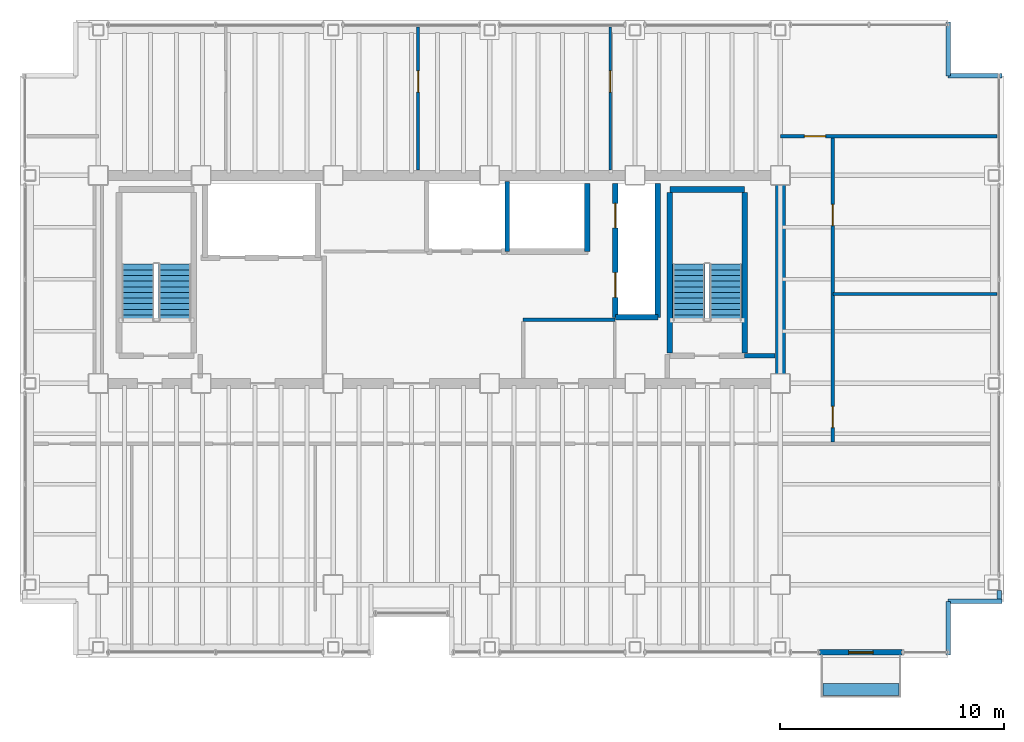
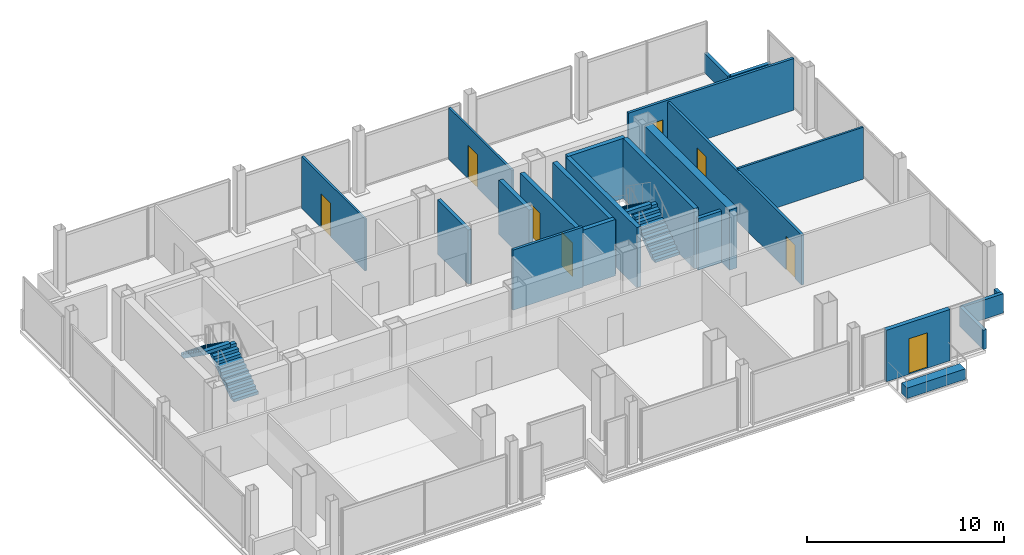
# One storey, part 14 of 16: 22 walls, 8 doors, 4 stair flights, 1 discrete accessory, 8 openings, 2 elements without a shape of their own.
"""IFC4 building model written with IfcOpenShell, lengths in metres."""

from ifc_helpers import new_model, si_unit, direction, frame, frame_2d, origin, origin_2d, place, context, subcontext, project, spatial, polyline, rectangle, outline, extrude, material, layer, layer_set, type_object, element, fill, aggregate, save


model = new_model("IFC4")

# Units and contexts
model_context = context("Model", 3, precision=1e-05, world=origin(), true_north=direction((0.0, 1.0)))
body_context = subcontext(model_context, "Body", "Model", "MODEL_VIEW")
ifc_project = project(units=[si_unit("LENGTHUNIT", "METRE"), si_unit("AREAUNIT", "SQUARE_METRE"), si_unit("VOLUMEUNIT", "CUBIC_METRE"), si_unit("PLANEANGLEUNIT", "RADIAN"), si_unit("MASSUNIT", "GRAM", prefix="KILO")], contexts=[model_context])

# Site, building, storey
site_placement = place(None, origin())
site = spatial("IfcSite", under=ifc_project, at=site_placement, CompositionType="ELEMENT")
building_placement = place(site_placement, origin())
building = spatial("IfcBuilding", under=site, at=building_placement, Name="Noeulbin Bourse Tower", CompositionType="ELEMENT")
storey_placement = place(building_placement, frame((0.0, 0.0, 185.10009765625)))
storey = spatial("IfcBuildingStorey", under=building, at=storey_placement, Name="L46", CompositionType="ELEMENT", Elevation=185.10009765625)

# Wall
ifc_material_1 = material(Name="Concrete C50/60", Category="concrete")
ifc_layer_1 = layer(ifc_material_1, 0.449951171875)
ifc_layer_set_1 = layer_set([ifc_layer_1], Name="Concrete C50/60")
wall_type_1 = type_object("IfcWallType", Name="WAL-CORE-450", PredefinedType="SHEAR", material=ifc_layer_set_1)
wall_1_placement = place(storey_placement, frame((44.0, 29.35009765625, 0.0), z_axis=(0.0, 0.0, 1.0), x_axis=(0.0, 1.0, 0.0)))
element("IfcWall", 1, at=wall_1_placement, inside=storey, type_object=wall_type_1, Name="Rear Core East Shear Wall L46", PredefinedType="SHEAR", context=body_context, shape_type="SweptSolid", body=[
    extrude(rectangle(XDim=8.599853515625, YDim=0.449951171875, at=frame_2d((4.2998046875, 0.0))), origin(), (0.0, 0.0, 1.0), 3.719970703125),
])

# Wall, opening, door
ifc_material_2 = material(Name="Precast Concrete C40/50", Category="concrete")
ifc_layer_2 = layer(ifc_material_2, 0.25)
ifc_layer_set_2 = layer_set([ifc_layer_2], Name="Precast Concrete C40/50")
wall_type_2 = type_object("IfcWallType", Name="WAL-EXT-250", PredefinedType="STANDARD", material=ifc_layer_set_2)
wall_2_placement = place(storey_placement, frame((45.75, 16.969970703125, 0.0), z_axis=(0.0, 0.0, 1.0), x_axis=(1.0, 0.0, 0.0)))
wall_2 = element("IfcWall", 2, at=wall_2_placement, inside=storey, type_object=wall_type_2, Name="Balcony Threshold Wall L46", PredefinedType="STANDARD", context=body_context, shape_type="SweptSolid", body=[
    extrude(rectangle(XDim=3.699951171875, YDim=0.25, at=frame_2d((1.85009765625, 0.0))), origin(), (0.0, 0.0, 1.0), 3.179931640625),
])
opening_1_placement = place(wall_2_placement, frame((1.300048828125, 0.0, 0.0)))
opening_1 = element("IfcOpeningElement", 3, at=opening_1_placement, cuts=wall_2, Name="Opening BD-11", PredefinedType="OPENING", context=body_context, shape_type="SweptSolid", body=[
    extrude(rectangle(XDim=1.10009765625, YDim=2.199951171875, at=frame_2d((0.550048828125, 1.10009765625))), frame((0.0, 0.135009765625, 0.0), z_axis=(0.0, -1.0, 0.0), x_axis=(1.0, 0.0, 0.0)), (0.0, 0.0, 1.0), 0.27001953125),
])
ifc_material_3 = material(Name="Thermally Broken Aluminium Framed Glass", Category="aluminium")
door_type_1 = type_object("IfcDoorType", Name="DR-BAL-1100", OperationType="SINGLE_SWING_LEFT", PredefinedType="DOOR", material=ifc_material_3)
door_1_placement = place(opening_1_placement, origin())
door_1 = element("IfcDoor", 4, at=door_1_placement, inside=storey, type_object=door_type_1, Name="Tree-Balcony Access Door BD-L46", OperationType="SINGLE_SWING_RIGHT", OverallHeight=2.199951171875, OverallWidth=1.10009765625, PredefinedType="DOOR", context=body_context, shape_type="SweptSolid", body=[
    extrude(rectangle(XDim=1.10009765625, YDim=2.199951171875, at=frame_2d((0.550048828125, 1.10009765625))), frame((0.0, 0.02490234375, 0.0), z_axis=(0.0, -1.0, 0.0), x_axis=(1.0, 0.0, 0.0)), (0.0, 0.0, 1.0), 0.050048828125),
])
fill(opening_1, door_1)

# Walls
ifc_material_4 = material(Name="Concrete C40/50", Category="concrete")
ifc_layer_3 = layer(ifc_material_4, 0.199951171875)
ifc_layer_set_3 = layer_set([ifc_layer_3], Name="Concrete C40/50")
wall_type_3 = type_object("IfcWallType", Name="WAL-FIRE-200", PredefinedType="STANDARD", material=ifc_layer_set_3)
wall_3_placement = place(storey_placement, frame((42.39990234375, 30.239990234375, 0.0), z_axis=(0.0, 0.0, 1.0), x_axis=(1.0, 0.0, 0.0)))
element("IfcWall", 5, at=wall_3_placement, inside=storey, type_object=wall_type_3, Name="Interior Partition Wall L46-01", PredefinedType="STANDARD", context=body_context, shape_type="SweptSolid", body=[
    extrude(rectangle(XDim=1.364990234375, YDim=0.199951171875, at=frame_2d((0.6826171875, 0.0))), origin(), (0.0, 0.0, 1.0), 3.199951171875),
])
ifc_layer_4 = layer(ifc_material_4, 0.199951171875)
ifc_layer_set_4 = layer_set([ifc_layer_4], Name="Concrete C40/50")
wall_type_4 = type_object("IfcWallType", Name="WAL-PAR-200", PredefinedType="PARAPET", material=ifc_layer_set_4)
wall_4_placement = place(storey_placement, frame((53.780029296875, 19.35009765625, 0.0), z_axis=(0.0, 0.0, 1.0), x_axis=(0.0, 1.0, 0.0)))
element("IfcWall", 6, at=wall_4_placement, inside=storey, type_object=wall_type_4, Name="Perimeter Pier Spandrel Parapet L46-E3", PredefinedType="PARAPET", context=body_context, shape_type="SweptSolid", body=[
    extrude(rectangle(XDim=0.3798828125, YDim=0.199951171875, at=frame_2d((0.18994140625, 0.0))), origin(), (0.0, 0.0, 1.0), 1.199951171875),
])
for number, where, z_axis, x_axis, name in (
    (7, (51.5, 16.85009765625, 0.0), (0.0, 0.0, 1.0), (0.0, 1.0, 0.0), "Corner Notch Parapet L46-SE1"),
    (8, (51.5, 19.25, 0.0), (0.0, 0.0, 1.0), (1.0, 0.0, 0.0), "Corner Notch Parapet L46-SE2"),
    (9, (51.5, 45.14990234375, 0.0), (0.0, 0.0, 1.0), (0.0, -1.0, 0.0), "Corner Notch Parapet L46-NE1"),
    (10, (51.5, 42.75, 0.0), (0.0, 0.0, 1.0), (1.0, 0.0, 0.0), "Corner Notch Parapet L46-NE2"),
):
    element("IfcWall", number, at=place(storey_placement, frame(where, z_axis=z_axis, x_axis=x_axis)), inside=storey, type_object=wall_type_4, Name=name, PredefinedType="PARAPET", context=body_context, shape_type="SweptSolid", body=[
        extrude(rectangle(XDim=2.39990234375, YDim=0.199951171875, at=frame_2d((1.199951171875, 0.0))), origin(), (0.0, 0.0, 1.0), 1.199951171875),
    ])
ifc_material_5 = material(Name="Steel Stud Gypsum Partition", Category="steel")
ifc_layer_5 = layer(ifc_material_5, 0.1201171875)
ifc_layer_set_5 = layer_set([ifc_layer_5], Name="Steel Stud Gypsum Partition")
wall_type_5 = type_object("IfcWallType", Name="WAL-PRT-120", PredefinedType="PARTITIONING", material=ifc_layer_set_5)
wall_5_placement = place(storey_placement, frame((46.35009765625, 33.0, 0.0), z_axis=(0.0, 0.0, 1.0), x_axis=(1.0, 0.0, 0.0)))
element("IfcWall", 11, at=wall_5_placement, inside=storey, type_object=wall_type_5, Name="Interior Partition Wall L46-05", PredefinedType="PARTITIONING", context=body_context, shape_type="SweptSolid", body=[
    extrude(rectangle(XDim=7.33984375, YDim=0.1201171875, at=frame_2d((3.669921875, 0.0))), origin(), (0.0, 0.0, 1.0), 3.2119140625),
])

# Wall, opening, door
wall_6_placement = place(storey_placement, frame((27.800048828125, 38.534912109375, 0.0), z_axis=(0.0, 0.0, 1.0), x_axis=(0.0, 1.0, 0.0)))
wall_6 = element("IfcWall", 12, at=wall_6_placement, inside=storey, type_object=wall_type_5, Name="Interior Partition Wall L46-19", PredefinedType="PARTITIONING", context=body_context, shape_type="SweptSolid", body=[
    extrude(rectangle(XDim=6.405029296875, YDim=0.1201171875, at=frame_2d((3.20263671875, 0.0))), origin(), (0.0, 0.0, 1.0), 3.2119140625),
])
opening_2_placement = place(wall_6_placement, frame((3.485107421875, 0.0, 0.0)))
opening_2 = element("IfcOpeningElement", 13, at=opening_2_placement, cuts=wall_6, Name="Opening ID-09", PredefinedType="OPENING", context=body_context, shape_type="SweptSolid", body=[
    extrude(rectangle(XDim=0.949951171875, YDim=2.080078125, at=frame_2d((0.47509765625, 1.0400390625))), frame((0.0, 0.070068359375, 0.0), z_axis=(0.0, -1.0, 0.0), x_axis=(1.0, 0.0, 0.0)), (0.0, 0.0, 1.0), 0.14013671875),
])
ifc_material_6 = material(Name="Acoustic Solid-Core Timber", Category="wood")
door_type_2 = type_object("IfcDoorType", Name="DR-SINGLE-950", OperationType="SINGLE_SWING_LEFT", PredefinedType="DOOR", material=ifc_material_6)
door_2_placement = place(opening_2_placement, origin())
door_2 = element("IfcDoor", 14, at=door_2_placement, inside=storey, type_object=door_type_2, Name="Interior Door L46-16", OperationType="SINGLE_SWING_LEFT", OverallHeight=2.080078125, OverallWidth=0.949951171875, PredefinedType="DOOR", context=body_context, shape_type="SweptSolid", body=[
    extrude(rectangle(XDim=0.949951171875, YDim=2.080078125, at=frame_2d((0.47509765625, 1.0400390625))), frame((0.0, 0.02490234375, 0.0), z_axis=(0.0, -1.0, 0.0), x_axis=(1.0, 0.0, 0.0)), (0.0, 0.0, 1.0), 0.050048828125),
])
fill(opening_2, door_2)

wall_7_placement = place(storey_placement, frame((36.39990234375, 38.534912109375, 0.0), z_axis=(0.0, 0.0, 1.0), x_axis=(0.0, 1.0, 0.0)))
wall_7 = element("IfcWall", 15, at=wall_7_placement, inside=storey, type_object=wall_type_5, Name="Interior Partition Wall L46-20", PredefinedType="PARTITIONING", context=body_context, shape_type="SweptSolid", body=[
    extrude(rectangle(XDim=6.405029296875, YDim=0.1201171875, at=frame_2d((3.20263671875, 0.0))), origin(), (0.0, 0.0, 1.0), 3.2119140625),
])
opening_3_placement = place(wall_7_placement, frame((3.485107421875, 0.0, 0.0)))
opening_3 = element("IfcOpeningElement", 16, at=opening_3_placement, cuts=wall_7, Name="Opening ID-09", PredefinedType="OPENING", context=body_context, shape_type="SweptSolid", body=[
    extrude(rectangle(XDim=0.949951171875, YDim=2.080078125, at=frame_2d((0.47509765625, 1.0400390625))), frame((0.0, 0.070068359375, 0.0), z_axis=(0.0, -1.0, 0.0), x_axis=(1.0, 0.0, 0.0)), (0.0, 0.0, 1.0), 0.14013671875),
])
door_3_placement = place(opening_3_placement, origin())
door_3 = element("IfcDoor", 17, at=door_3_placement, inside=storey, type_object=door_type_2, Name="Interior Door L46-17", OperationType="SINGLE_SWING_RIGHT", OverallHeight=2.080078125, OverallWidth=0.949951171875, PredefinedType="DOOR", context=body_context, shape_type="SweptSolid", body=[
    extrude(rectangle(XDim=0.949951171875, YDim=2.080078125, at=frame_2d((0.47509765625, 1.0400390625))), frame((0.0, 0.02490234375, 0.0), z_axis=(0.0, -1.0, 0.0), x_axis=(1.0, 0.0, 0.0)), (0.0, 0.0, 1.0), 0.050048828125),
])
fill(opening_3, door_3)

# Wall
ifc_material_7 = material(Name="Steel Stud Acoustic Gypsum Board", Category="steel")
ifc_layer_6 = layer(ifc_material_7, 0.14990234375)
ifc_layer_set_6 = layer_set([ifc_layer_6], Name="Steel Stud Acoustic Gypsum Board")
wall_type_6 = type_object("IfcWallType", Name="WAL-PRT-150", PredefinedType="PARTITIONING", material=ifc_layer_set_6)
wall_8_placement = place(storey_placement, frame((32.5, 31.85009765625, 0.0), z_axis=(0.0, 0.0, 1.0), x_axis=(1.0, 0.0, 0.0)))
element("IfcWall", 18, at=wall_8_placement, inside=storey, type_object=wall_type_6, Name="Interior Partition Wall L46-03", PredefinedType="PARTITIONING", context=body_context, shape_type="SweptSolid", body=[
    extrude(rectangle(XDim=4.10009765625, YDim=0.14990234375, at=frame_2d((2.050048828125, 0.0))), origin(), (0.0, 0.0, 1.0), 3.719970703125),
])

# Wall, opening, door
wall_9_placement = place(storey_placement, frame((44.0, 40.050048828125, 0.0), z_axis=(0.0, 0.0, 1.0), x_axis=(1.0, 0.0, 0.0)))
wall_9 = element("IfcWall", 19, at=wall_9_placement, inside=storey, type_object=wall_type_6, Name="Interior Partition Wall L46-07", PredefinedType="PARTITIONING", context=body_context, shape_type="SweptSolid", body=[
    extrude(rectangle(XDim=9.68994140625, YDim=0.14990234375, at=frame_2d((4.844970703125, 0.0))), origin(), (0.0, 0.0, 1.0), 3.199951171875),
])
opening_4_placement = place(wall_9_placement, frame((1.074951171875, 0.0, 0.0)))
opening_4 = element("IfcOpeningElement", 20, at=opening_4_placement, cuts=wall_9, Name="Opening ID-09", PredefinedType="OPENING", context=body_context, shape_type="SweptSolid", body=[
    extrude(rectangle(XDim=0.949951171875, YDim=2.080078125, at=frame_2d((0.47509765625, 1.0400390625))), frame((0.0, 0.0849609375, 0.0), z_axis=(0.0, -1.0, 0.0), x_axis=(1.0, 0.0, 0.0)), (0.0, 0.0, 1.0), 0.169921875),
])
door_4_placement = place(opening_4_placement, origin())
door_4 = element("IfcDoor", 21, at=door_4_placement, inside=storey, type_object=door_type_2, Name="Interior Door L46-14", OperationType="SINGLE_SWING_LEFT", OverallHeight=2.080078125, OverallWidth=0.949951171875, PredefinedType="DOOR", context=body_context, shape_type="SweptSolid", body=[
    extrude(rectangle(XDim=0.949951171875, YDim=2.080078125, at=frame_2d((0.47509765625, 1.0400390625))), frame((0.0, 0.02490234375, 0.0), z_axis=(0.0, -1.0, 0.0), x_axis=(1.0, 0.0, 0.0)), (0.0, 0.0, 1.0), 0.050048828125),
])
fill(opening_4, door_4)

# Wall, openings, doors
wall_10_placement = place(storey_placement, frame((46.35009765625, 26.385009765625, 0.0), z_axis=(0.0, 0.0, 1.0), x_axis=(0.0, 1.0, 0.0)))
wall_10 = element("IfcWall", 22, at=wall_10_placement, inside=storey, type_object=wall_type_6, Name="Interior Partition Wall L46-13", PredefinedType="PARTITIONING", context=body_context, shape_type="SweptSolid", body=[
    extrude(rectangle(XDim=13.580078125, YDim=0.14990234375, at=frame_2d((6.7900390625, 0.0))), origin(), (0.0, 0.0, 1.0), 3.099853515625),
])
opening_5_placement = place(wall_10_placement, frame((0.639892578125, 0.0, 0.0)))
opening_5 = element("IfcOpeningElement", 23, at=opening_5_placement, cuts=wall_10, Name="Opening ID-09", PredefinedType="OPENING", context=body_context, shape_type="SweptSolid", body=[
    extrude(rectangle(XDim=0.949951171875, YDim=2.080078125, at=frame_2d((0.47509765625, 1.0400390625))), frame((0.0, 0.0849609375, 0.0), z_axis=(0.0, -1.0, 0.0), x_axis=(1.0, 0.0, 0.0)), (0.0, 0.0, 1.0), 0.169921875),
])
opening_6_placement = place(wall_10_placement, frame((9.6650390625, 0.0, 0.0)))
opening_6 = element("IfcOpeningElement", 24, at=opening_6_placement, cuts=wall_10, Name="Opening ID-09", PredefinedType="OPENING", context=body_context, shape_type="SweptSolid", body=[
    extrude(rectangle(XDim=0.949951171875, YDim=2.080078125, at=frame_2d((0.47509765625, 1.0400390625))), frame((0.0, 0.0849609375, 0.0), z_axis=(0.0, -1.0, 0.0), x_axis=(1.0, 0.0, 0.0)), (0.0, 0.0, 1.0), 0.169921875),
])
door_5_placement = place(opening_5_placement, origin())
door_5 = element("IfcDoor", 25, at=door_5_placement, inside=storey, type_object=door_type_2, Name="Interior Door L46-12", OperationType="SINGLE_SWING_LEFT", OverallHeight=2.080078125, OverallWidth=0.949951171875, PredefinedType="DOOR", context=body_context, shape_type="SweptSolid", body=[
    extrude(rectangle(XDim=0.949951171875, YDim=2.080078125, at=frame_2d((0.47509765625, 1.0400390625))), frame((0.0, 0.02490234375, 0.0), z_axis=(0.0, -1.0, 0.0), x_axis=(1.0, 0.0, 0.0)), (0.0, 0.0, 1.0), 0.050048828125),
])
fill(opening_5, door_5)
door_6_placement = place(opening_6_placement, origin())
door_6 = element("IfcDoor", 26, at=door_6_placement, inside=storey, type_object=door_type_2, Name="Interior Door L46-13", OperationType="SINGLE_SWING_RIGHT", OverallHeight=2.080078125, OverallWidth=0.949951171875, PredefinedType="DOOR", context=body_context, shape_type="SweptSolid", body=[
    extrude(rectangle(XDim=0.949951171875, YDim=2.080078125, at=frame_2d((0.47509765625, 1.0400390625))), frame((0.0, 0.02490234375, 0.0), z_axis=(0.0, -1.0, 0.0), x_axis=(1.0, 0.0, 0.0)), (0.0, 0.0, 1.0), 0.050048828125),
])
fill(opening_6, door_6)

# Walls
ifc_layer_7 = layer(ifc_material_4, 0.25)
ifc_layer_set_7 = layer_set([ifc_layer_7], Name="Concrete C40/50")
wall_type_7 = type_object("IfcWallType", Name="WAL-SHFT-250", PredefinedType="STANDARD", material=ifc_layer_set_7)
wall_11_placement = place(storey_placement, frame((39.06005859375, 37.6689453125, 0.0), z_axis=(0.0, 0.0, 1.0), x_axis=(1.0, 0.0, 0.0)))
element("IfcWall", 27, at=wall_11_placement, inside=storey, type_object=wall_type_7, Name="Stair ST-2 North Shaft Wall L46", PredefinedType="STANDARD", context=body_context, shape_type="SweptSolid", body=[
    extrude(rectangle(XDim=3.33984375, YDim=0.25, at=frame_2d((1.669921875, 0.0))), origin(), (0.0, 0.0, 1.0), 3.719970703125),
])
for number, where, z_axis, x_axis, name in (
    (28, (39.054931640625, 30.360107421875, 0.0), (0.0, 0.0, 1.0), (0.0, 1.0, 0.0), "Stair ST-2 West Shaft Wall L46"),
    (29, (42.405029296875, 30.360107421875, 0.0), (0.0, 0.0, 1.0), (0.0, 1.0, 0.0), "Stair ST-2 East Shaft Wall L46"),
):
    element("IfcWall", number, at=place(storey_placement, frame(where, z_axis=z_axis, x_axis=x_axis)), inside=storey, type_object=wall_type_7, Name=name, PredefinedType="STANDARD", context=body_context, shape_type="SweptSolid", body=[
        extrude(rectangle(XDim=7.183837890625, YDim=0.25, at=frame_2d((3.591796875, 0.0))), origin(), (0.0, 0.0, 1.0), 3.719970703125),
    ])

# Wall, openings, doors
wall_12_placement = place(storey_placement, frame((36.6201171875, 31.949951171875, 0.0), z_axis=(0.0, 0.0, 1.0), x_axis=(0.0, 1.0, 0.0)))
wall_12 = element("IfcWall", 30, at=wall_12_placement, inside=storey, type_object=wall_type_7, Name="Service Lift Shaft Wall L46", PredefinedType="STANDARD", context=body_context, shape_type="SweptSolid", body=[
    extrude(rectangle(XDim=6.0, YDim=0.25, at=frame_2d((3.0, 0.0))), origin(), (0.0, 0.0, 1.0), 3.349853515625),
])
opening_7_placement = place(wall_12_placement, frame((0.89990234375, 0.0, 0.0)))
opening_7 = element("IfcOpeningElement", 31, at=opening_7_placement, cuts=wall_12, Name="Opening LD-11", PredefinedType="OPENING", context=body_context, shape_type="SweptSolid", body=[
    extrude(rectangle(XDim=1.10009765625, YDim=2.080078125, at=frame_2d((0.550048828125, 1.0400390625))), frame((0.0, 0.135009765625, 0.0), z_axis=(0.0, -1.0, 0.0), x_axis=(1.0, 0.0, 0.0)), (0.0, 0.0, 1.0), 0.27001953125),
])
opening_8_placement = place(wall_12_placement, frame((4.0, 0.0, 0.0)))
opening_8 = element("IfcOpeningElement", 32, at=opening_8_placement, cuts=wall_12, Name="Opening LD-11", PredefinedType="OPENING", context=body_context, shape_type="SweptSolid", body=[
    extrude(rectangle(XDim=1.10009765625, YDim=2.080078125, at=frame_2d((0.550048828125, 1.0400390625))), frame((0.0, 0.135009765625, 0.0), z_axis=(0.0, -1.0, 0.0), x_axis=(1.0, 0.0, 0.0)), (0.0, 0.0, 1.0), 0.27001953125),
])
ifc_material_8 = material(Name="Brushed Stainless Steel 316", Category="steel")
door_type_3 = type_object("IfcDoorType", Name="DR-LIFT-1100", OperationType="SLIDING_TO_LEFT", PredefinedType="DOOR", material=ifc_material_8)
door_7_placement = place(opening_7_placement, origin())
door_7 = element("IfcDoor", 33, at=door_7_placement, inside=storey, type_object=door_type_3, Name="Lift Landing Door LD-EL-01-L46", OperationType="SLIDING_TO_LEFT", OverallHeight=2.080078125, OverallWidth=1.10009765625, PredefinedType="DOOR", context=body_context, shape_type="SweptSolid", body=[
    extrude(rectangle(XDim=1.10009765625, YDim=2.080078125, at=frame_2d((0.550048828125, 1.0400390625))), frame((0.0, 0.02490234375, 0.0), z_axis=(0.0, -1.0, 0.0), x_axis=(1.0, 0.0, 0.0)), (0.0, 0.0, 1.0), 0.050048828125),
])
fill(opening_7, door_7)
door_8_placement = place(opening_8_placement, origin())
door_8 = element("IfcDoor", 34, at=door_8_placement, inside=storey, type_object=door_type_3, Name="Lift Landing Door LD-SV-01-L46", OperationType="SLIDING_TO_LEFT", OverallHeight=2.080078125, OverallWidth=1.10009765625, PredefinedType="DOOR", context=body_context, shape_type="SweptSolid", body=[
    extrude(rectangle(XDim=1.10009765625, YDim=2.080078125, at=frame_2d((0.550048828125, 1.0400390625))), frame((0.0, 0.02490234375, 0.0), z_axis=(0.0, -1.0, 0.0), x_axis=(1.0, 0.0, 0.0)), (0.0, 0.0, 1.0), 0.050048828125),
])
fill(opening_8, door_8)

# Walls
wall_13_placement = place(storey_placement, frame((38.52001953125, 31.949951171875, 0.0), z_axis=(0.0, 0.0, 1.0), x_axis=(0.0, 1.0, 0.0)))
element("IfcWall", 35, at=wall_13_placement, inside=storey, type_object=wall_type_7, Name="Service Lift East Shaft Wall L46", PredefinedType="STANDARD", context=body_context, shape_type="SweptSolid", body=[
    extrude(rectangle(XDim=6.0, YDim=0.25, at=frame_2d((3.0, 0.0))), origin(), (0.0, 0.0, 1.0), 3.349853515625),
])
wall_14_placement = place(storey_placement, frame((36.6201171875, 31.949951171875, 0.0), z_axis=(0.0, 0.0, 1.0), x_axis=(1.0, 0.0, 0.0)))
element("IfcWall", 36, at=wall_14_placement, inside=storey, type_object=wall_type_7, Name="Service Lift South Shaft Wall L46", PredefinedType="STANDARD", context=body_context, shape_type="SweptSolid", body=[
    extrude(rectangle(XDim=1.89990234375, YDim=0.25, at=frame_2d((0.949951171875, 0.0))), origin(), (0.0, 0.0, 1.0), 3.47998046875),
])
wall_15_placement = place(storey_placement, frame((35.360107421875, 34.89990234375, 0.0), z_axis=(0.0, 0.0, 1.0), x_axis=(0.0, 1.0, 0.0)))
element("IfcWall", 37, at=wall_15_placement, inside=storey, type_object=wall_type_7, Name="High-Rise Lift East Shaft Wall L46", PredefinedType="STANDARD", context=body_context, shape_type="SweptSolid", body=[
    extrude(rectangle(XDim=3.050048828125, YDim=0.25, at=frame_2d((1.52490234375, 0.0))), origin(), (0.0, 0.0, 1.0), 3.349853515625),
])
wall_16_placement = place(storey_placement, frame((31.780029296875, 34.89990234375, 0.0), z_axis=(0.0, 0.0, 1.0), x_axis=(0.0, 1.0, 0.0)))
element("IfcWall", 38, at=wall_16_placement, inside=storey, type_object=wall_type_7, Name="Hoistway Side Shaft Wall L46-PLHW", PredefinedType="STANDARD", context=body_context, shape_type="SweptSolid", body=[
    extrude(rectangle(XDim=3.1201171875, YDim=0.199951171875, at=frame_2d((1.56005859375, 0.0))), origin(), (0.0, 0.0, 1.0), 3.349853515625),
])

# Stair, stair flights
stair_type = type_object("IfcStairType", Name="STR-CORE-1560", PredefinedType="HALF_TURN_STAIR", material=ifc_material_4)
stair_1_placement = place(storey_placement, origin())
stair_1 = element("IfcStair", 39, at=stair_1_placement, inside=storey, type_object=stair_type, Name="L46 ST-1", PredefinedType="HALF_TURN_STAIR")
stair_flight_type = type_object("IfcStairFlightType", Name="SFL-CORE-1560", PredefinedType="STRAIGHT", material=ifc_material_4)
stair_flight_1_placement = place(storey_placement, frame((16.925048828125, 31.81005859375, 0.0), z_axis=(0.0, 0.0, 1.0), x_axis=(0.0, 1.0, 0.0)))
stair_flight_1 = element("IfcStairFlight", 40, at=stair_flight_1_placement, type_object=stair_flight_type, Name="ST-1 flight 1", NumberOfRisers=11, NumberOfTreads=10, PredefinedType="STRAIGHT", RiserHeight=0.177272727, TreadLength=0.252, context=body_context, shape_type="SweptSolid", body=[
    extrude(outline(polyline([(0.0, 0.0), (0.0, 0.17724609375), (0.251953125, 0.17724609375), (0.251953125, 0.3544921875), (0.50390625, 0.3544921875), (0.50390625, 0.53173828125), (0.756103515625, 0.53173828125), (0.756103515625, 0.708984375), (1.008056640625, 0.708984375), (1.008056640625, 0.886474609375), (1.260009765625, 0.886474609375), (1.260009765625, 1.063720703125), (1.511962890625, 1.063720703125), (1.511962890625, 1.240966796875), (1.763916015625, 1.240966796875), (1.763916015625, 1.418212890625), (2.01611328125, 1.418212890625), (2.01611328125, 1.595458984375), (2.26806640625, 1.595458984375), (2.26806640625, 1.772705078125), (2.52001953125, 1.772705078125), (2.52001953125, 1.949951171875), (2.52001953125, 1.552734375), (0.312744140625, 0.0), (0.0, 0.0)])), frame((0.0, 0.72509765625, 0.0), z_axis=(0.0, -1.0, 0.0), x_axis=(1.0, 0.0, 0.0)), (0.0, 0.0, 1.0), 1.449951171875),
])
stair_flight_2_placement = place(storey_placement, frame((15.27490234375, 34.330078125, 1.949951171875), z_axis=(0.0, 0.0, 1.0), x_axis=(0.0, -1.0, 0.0)))
stair_flight_2 = element("IfcStairFlight", 41, at=stair_flight_2_placement, type_object=stair_flight_type, Name="ST-1 flight 2", NumberOfRisers=11, NumberOfTreads=10, PredefinedType="STRAIGHT", RiserHeight=0.177272727, TreadLength=0.252, context=body_context, shape_type="SweptSolid", body=[
    extrude(outline(polyline([(0.0, 0.0), (0.0, 0.17724609375), (0.251953125, 0.17724609375), (0.251953125, 0.3544921875), (0.50390625, 0.3544921875), (0.50390625, 0.53173828125), (0.756103515625, 0.53173828125), (0.756103515625, 0.708984375), (1.008056640625, 0.708984375), (1.008056640625, 0.886474609375), (1.260009765625, 0.886474609375), (1.260009765625, 1.063720703125), (1.511962890625, 1.063720703125), (1.511962890625, 1.240966796875), (1.763916015625, 1.240966796875), (1.763916015625, 1.418212890625), (2.01611328125, 1.418212890625), (2.01611328125, 1.595458984375), (2.26806640625, 1.595458984375), (2.26806640625, 1.772705078125), (2.52001953125, 1.772705078125), (2.52001953125, 1.949951171875), (2.52001953125, 1.552734375), (0.312744140625, 0.0), (0.0, 0.0)])), frame((0.0, 0.72509765625, 0.0), z_axis=(0.0, -1.0, 0.0), x_axis=(1.0, 0.0, 0.0)), (0.0, 0.0, 1.0), 1.449951171875),
])
aggregate(stair_1, [stair_flight_1, stair_flight_2])

stair_2_placement = place(storey_placement, origin())
stair_2 = element("IfcStair", 42, at=stair_2_placement, inside=storey, type_object=stair_type, Name="L46 ST-2", PredefinedType="HALF_TURN_STAIR")
stair_flight_3_placement = place(storey_placement, frame((41.554931640625, 31.81005859375, 0.0), z_axis=(0.0, 0.0, 1.0), x_axis=(0.0, 1.0, 0.0)))
stair_flight_3 = element("IfcStairFlight", 43, at=stair_flight_3_placement, type_object=stair_flight_type, Name="ST-2 flight 1", NumberOfRisers=11, NumberOfTreads=10, PredefinedType="STRAIGHT", RiserHeight=0.177272727, TreadLength=0.252, context=body_context, shape_type="SweptSolid", body=[
    extrude(outline(polyline([(0.0, 0.0), (0.0, 0.17724609375), (0.251953125, 0.17724609375), (0.251953125, 0.3544921875), (0.50390625, 0.3544921875), (0.50390625, 0.53173828125), (0.756103515625, 0.53173828125), (0.756103515625, 0.708984375), (1.008056640625, 0.708984375), (1.008056640625, 0.886474609375), (1.260009765625, 0.886474609375), (1.260009765625, 1.063720703125), (1.511962890625, 1.063720703125), (1.511962890625, 1.240966796875), (1.763916015625, 1.240966796875), (1.763916015625, 1.418212890625), (2.01611328125, 1.418212890625), (2.01611328125, 1.595458984375), (2.26806640625, 1.595458984375), (2.26806640625, 1.772705078125), (2.52001953125, 1.772705078125), (2.52001953125, 1.949951171875), (2.52001953125, 1.552734375), (0.312744140625, 0.0), (0.0, 0.0)])), frame((0.0, 0.72509765625, 0.0), z_axis=(0.0, -1.0, 0.0), x_axis=(1.0, 0.0, 0.0)), (0.0, 0.0, 1.0), 1.449951171875),
])
stair_flight_4_placement = place(storey_placement, frame((39.905029296875, 34.330078125, 1.949951171875), z_axis=(0.0, 0.0, 1.0), x_axis=(0.0, -1.0, 0.0)))
stair_flight_4 = element("IfcStairFlight", 44, at=stair_flight_4_placement, type_object=stair_flight_type, Name="ST-2 flight 2", NumberOfRisers=11, NumberOfTreads=10, PredefinedType="STRAIGHT", RiserHeight=0.177272727, TreadLength=0.252, context=body_context, shape_type="SweptSolid", body=[
    extrude(outline(polyline([(0.0, 0.0), (0.0, 0.17724609375), (0.251953125, 0.17724609375), (0.251953125, 0.3544921875), (0.50390625, 0.3544921875), (0.50390625, 0.53173828125), (0.756103515625, 0.53173828125), (0.756103515625, 0.708984375), (1.008056640625, 0.708984375), (1.008056640625, 0.886474609375), (1.260009765625, 0.886474609375), (1.260009765625, 1.063720703125), (1.511962890625, 1.063720703125), (1.511962890625, 1.240966796875), (1.763916015625, 1.240966796875), (1.763916015625, 1.418212890625), (2.01611328125, 1.418212890625), (2.01611328125, 1.595458984375), (2.26806640625, 1.595458984375), (2.26806640625, 1.772705078125), (2.52001953125, 1.772705078125), (2.52001953125, 1.949951171875), (2.52001953125, 1.552734375), (0.312744140625, 0.0), (0.0, 0.0)])), frame((0.0, 0.72509765625, 0.0), z_axis=(0.0, -1.0, 0.0), x_axis=(1.0, 0.0, 0.0)), (0.0, 0.0, 1.0), 1.449951171875),
])
aggregate(stair_2, [stair_flight_3, stair_flight_4])

# Discrete accessory
ifc_material_9 = material(Name="Architectural GFRC Concrete C40/50", Category="concrete")
ifc_layer_8 = layer(ifc_material_9, 0.64990234375)
ifc_layer_set_8 = layer_set([ifc_layer_8], Name="Architectural GFRC Concrete C40/50")
discrete_accessory_type = type_object("IfcDiscreteAccessoryType", Name="PLANTER-BOX-3600", PredefinedType="USERDEFINED", material=ifc_layer_set_8)
discrete_accessory_placement = place(storey_placement, frame((47.60009765625, 15.31005859375, 0.0), z_axis=(0.0, 0.0, 1.0), x_axis=(1.0, 0.0, 0.0)))
element("IfcDiscreteAccessory", 45, at=discrete_accessory_placement, inside=storey, type_object=discrete_accessory_type, Name="Integrated Balcony Tree Planter Box L46", ObjectType="PLANTER", PredefinedType="USERDEFINED", context=body_context, shape_type="SweptSolid", body=[
    extrude(rectangle(XDim=3.39990234375, YDim=0.550048828125, at=origin_2d()), origin(), (0.0, 0.0, 1.0), 0.64990234375),
])

save(model, "model.ifc")
